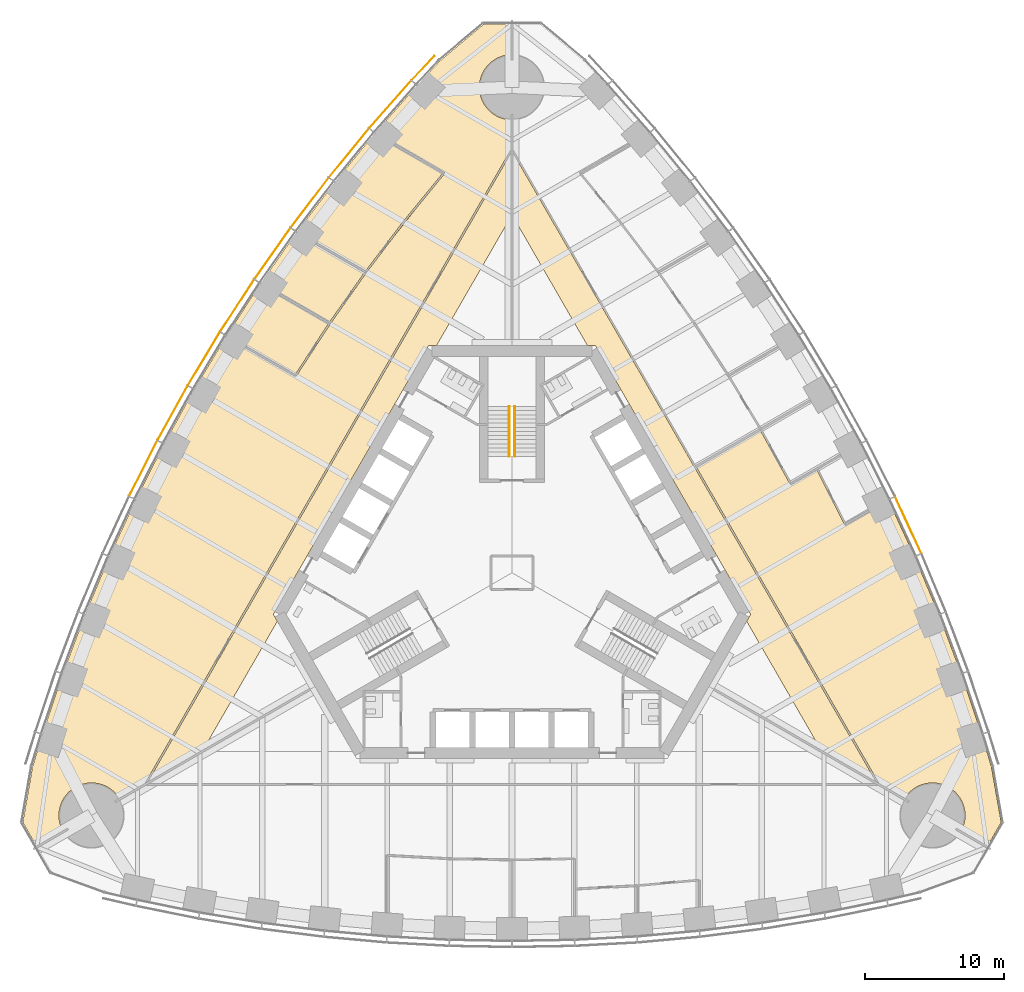
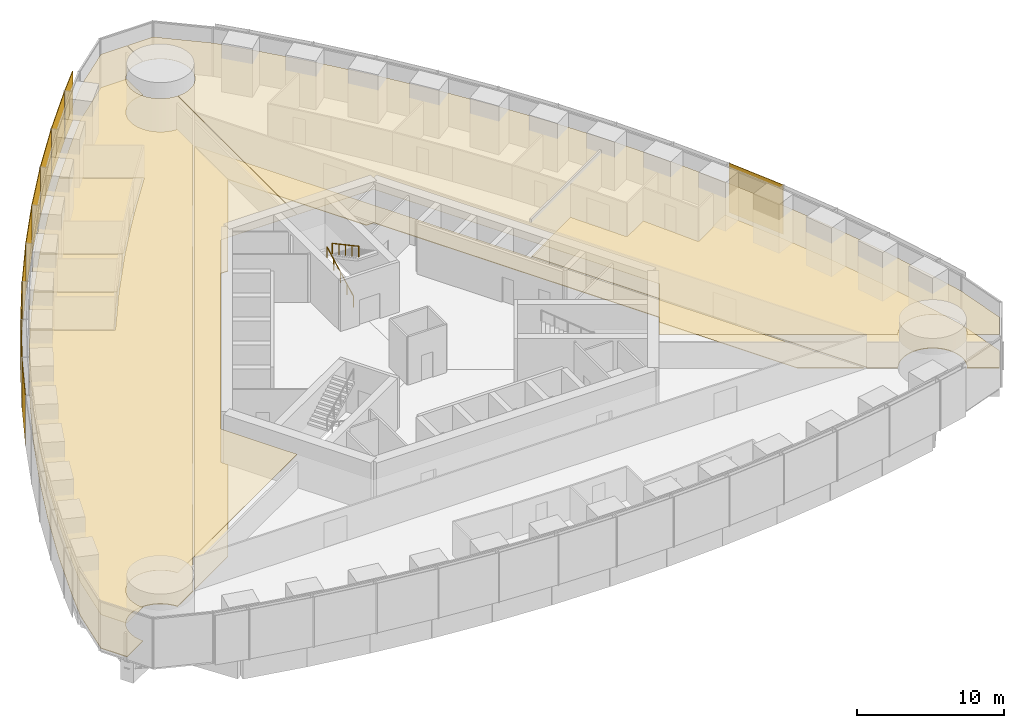
# One storey, part 15 of 18: 10 shading devices, 9 coverings, 2 railings.
"""IFC4 building model written with IfcOpenShell, lengths in metres."""

from ifc_helpers import new_model, si_unit, direction, frame, origin, origin_2d, place, context, subcontext, project, spatial, polyline, rectangle, circle, outline, extrude, material, layer, layer_set, type_object, element, save


model = new_model("IFC4")

# Units and contexts
model_context = context("Model", 3, precision=1e-05, world=origin(), true_north=direction((0.0, 1.0)))
body_context = subcontext(model_context, "Body", "Model", "MODEL_VIEW")
ifc_project = project(units=[si_unit("LENGTHUNIT", "METRE"), si_unit("AREAUNIT", "SQUARE_METRE"), si_unit("VOLUMEUNIT", "CUBIC_METRE"), si_unit("PLANEANGLEUNIT", "RADIAN"), si_unit("MASSUNIT", "GRAM", prefix="KILO")], contexts=[model_context])

# Site, building, storey
site_placement = place(None, origin())
site = spatial("IfcSite", under=ifc_project, at=site_placement, CompositionType="ELEMENT")
building_placement = place(site_placement, origin())
building = spatial("IfcBuilding", under=site, at=building_placement, Name="Trefoil Bronze Tower", CompositionType="ELEMENT")
storey_placement = place(building_placement, frame((0.0, 0.0, 115.699951171875)))
storey = spatial("IfcBuildingStorey", under=building, at=storey_placement, Name="L26", CompositionType="ELEMENT", Elevation=115.699951171875)

# Shading devices
ifc_material_1 = material(Name="Perforated bronze sheet", Category="bronze")
ifc_layer_1 = layer(ifc_material_1, 0.0400390625)
ifc_layer_set_1 = layer_set([ifc_layer_1], Name="Bronze solar screen panel")
shading_device_type = type_object("IfcShadingDeviceType", Name="Bronze solar screen panel", PredefinedType="SHUTTER", material=ifc_layer_set_1)
shading_device_1_placement = place(storey_placement, frame((28.563720703125, 3.444580078125, 0.050048828125), z_axis=(0.0, 0.0, 1.0), x_axis=(-0.419932995871, 0.907555110712, 0.0)))
element("IfcShadingDevice", 1, at=shading_device_1_placement, inside=storey, type_object=shading_device_type, Name="Solar screen CW-A L26 F2 bay 5", PredefinedType="SHUTTER", context=body_context, shape_type="SweptSolid", body=[
    extrude(rectangle(XDim=4.48828125, YDim=0.0400390625, at=origin_2d()), origin(), (0.0, 0.0, 1.0), 4.10009765625),
])
shading_device_2_placement = place(storey_placement, frame((-6.416748046875, 36.383544921875, 0.050048828125), z_axis=(0.0, 0.0, 1.0), x_axis=(-0.682535770759, -0.730852188636, 0.0)))
element("IfcShadingDevice", 2, at=shading_device_2_placement, inside=storey, type_object=shading_device_type, Name="Solar screen CW-A L26 F3 bay 1", PredefinedType="SHUTTER", context=body_context, shape_type="SweptSolid", body=[
    extrude(rectangle(XDim=2.39013671875, YDim=0.0400390625, at=origin_2d()), origin(), (0.0, 0.0, 1.0), 4.10009765625),
])
shading_device_3_placement = place(storey_placement, frame((-8.77197265625, 33.766845703125, 0.050048828125), z_axis=(0.0, 0.0, 1.0), x_axis=(-0.661751405978, -0.749723333428, 0.0)))
element("IfcShadingDevice", 3, at=shading_device_3_placement, inside=storey, type_object=shading_device_type, Name="Solar screen CW-A L26 F3 bay 2", PredefinedType="SHUTTER", context=body_context, shape_type="SweptSolid", body=[
    extrude(rectangle(XDim=4.56103515625, YDim=0.0400390625, at=origin_2d()), origin(), (0.0, 0.0, 1.0), 4.10009765625),
])
shading_device_4_placement = place(storey_placement, frame((-11.7490234375, 30.26708984375, 0.050048828125), z_axis=(0.0, 0.0, 1.0), x_axis=(-0.633839916024, -0.773464259584, 0.0)))
element("IfcShadingDevice", 4, at=shading_device_4_placement, inside=storey, type_object=shading_device_type, Name="Solar screen CW-A L26 F3 bay 3", PredefinedType="SHUTTER", context=body_context, shape_type="SweptSolid", body=[
    extrude(rectangle(XDim=4.5302734375, YDim=0.0400390625, at=origin_2d()), origin(), (0.0, 0.0, 1.0), 4.10009765625),
])
shading_device_5_placement = place(storey_placement, frame((-14.579345703125, 26.6826171875, 0.050048828125), z_axis=(0.0, 0.0, 1.0), x_axis=(-0.605252319983, -0.796033685943, 0.0)))
element("IfcShadingDevice", 5, at=shading_device_5_placement, inside=storey, type_object=shading_device_type, Name="Solar screen CW-A L26 F3 bay 4", PredefinedType="SHUTTER", context=body_context, shape_type="SweptSolid", body=[
    extrude(rectangle(XDim=4.50634765625, YDim=0.0400390625, at=origin_2d()), origin(), (0.0, 0.0, 1.0), 4.10009765625),
])
shading_device_6_placement = place(storey_placement, frame((-17.264892578125, 23.014404296875, 0.050048828125), z_axis=(0.0, 0.0, 1.0), x_axis=(-0.575999283275, -0.817450197667, 0.0)))
element("IfcShadingDevice", 6, at=shading_device_6_placement, inside=storey, type_object=shading_device_type, Name="Solar screen CW-A L26 F3 bay 5", PredefinedType="SHUTTER", context=body_context, shape_type="SweptSolid", body=[
    extrude(rectangle(XDim=4.48828125, YDim=0.0400390625, at=origin_2d()), origin(), (0.0, 0.0, 1.0), 4.10009765625),
])
shading_device_7_placement = place(storey_placement, frame((-19.8076171875, 19.263916015625, 0.050048828125), z_axis=(0.0, 0.0, 1.0), x_axis=(-0.546088612237, -0.837727418427, 0.0)))
element("IfcShadingDevice", 7, at=shading_device_7_placement, inside=storey, type_object=shading_device_type, Name="Solar screen CW-A L26 F3 bay 6", PredefinedType="SHUTTER", context=body_context, shape_type="SweptSolid", body=[
    extrude(rectangle(XDim=4.4765625, YDim=0.0400390625, at=origin_2d()), origin(), (0.0, 0.0, 1.0), 4.10009765625),
])
for number, where, z_axis, x_axis, name in (
    (8, (-22.208740234375, 15.431396484375, 0.050048828125), (0.0, 0.0, 1.0), (-0.515525413486, -0.856874289526, 0.0), "Solar screen CW-A L26 F3 bay 7"),
    (9, (-24.468505859375, 11.517578125, 0.050048828125), (0.0, 0.0, 1.0), (-0.484312195836, -0.874895249138, 0.0), "Solar screen CW-A L26 F3 bay 8"),
):
    element("IfcShadingDevice", number, at=place(storey_placement, frame(where, z_axis=z_axis, x_axis=x_axis)), inside=storey, type_object=shading_device_type, Name=name, PredefinedType="SHUTTER", context=body_context, shape_type="SweptSolid", body=[
        extrude(rectangle(XDim=4.470703125, YDim=0.0400390625, at=origin_2d()), origin(), (0.0, 0.0, 1.0), 4.10009765625),
    ])
shading_device_8_placement = place(storey_placement, frame((-26.5869140625, 7.52197265625, 0.050048828125), z_axis=(0.0, 0.0, 1.0), x_axis=(-0.452448919686, -0.891790320128, 0.0)))
element("IfcShadingDevice", 10, at=shading_device_8_placement, inside=storey, type_object=shading_device_type, Name="Solar screen CW-A L26 F3 bay 9", PredefinedType="SHUTTER", context=body_context, shape_type="SweptSolid", body=[
    extrude(rectangle(XDim=4.4765625, YDim=0.0400390625, at=origin_2d()), origin(), (0.0, 0.0, 1.0), 4.10009765625),
])

# Railings
ifc_material_2 = material(Name="Steel handrail", Category="steel")
railing_type = type_object("IfcRailingType", Name="Handrail 900", PredefinedType="HANDRAIL", material=ifc_material_2)
railing_1_placement = place(storey_placement, frame((-0.199951171875, 8.389892578125, 0.16162109375)))
element("IfcRailing", 11, at=railing_1_placement, inside=storey, type_object=railing_type, Name="Handrail ST2 flight 1 L26", PredefinedType="HANDRAIL", context=body_context, shape_type="SweptSolid", body=[
    extrude(circle(Radius=0.02392578125, at=origin_2d()), frame((0.0, 0.0, 0.8759765625), z_axis=(0.0, 0.880474934443, 0.474092701714), x_axis=(-1.0, 0.0, 0.0)), (0.0, 0.0, 1.0), 4.0888671875),
    extrude(circle(Radius=0.02099609375, at=origin_2d()), origin(), (0.0, 0.0, 1.0), 0.851806640625),
    extrude(circle(Radius=0.02099609375, at=origin_2d()), frame((0.0, 0.89990234375, 0.484619140625)), (0.0, 0.0, 1.0), 0.851806640625),
    extrude(circle(Radius=0.02099609375, at=origin_2d()), frame((0.0, 1.800048828125, 0.96923828125)), (0.0, 0.0, 1.0), 0.851806640625),
    extrude(circle(Radius=0.02099609375, at=origin_2d()), frame((0.0, 2.7001953125, 1.453857421875)), (0.0, 0.0, 1.0), 0.851806640625),
    extrude(circle(Radius=0.02099609375, at=origin_2d()), frame((0.0, 3.60009765625, 1.9384765625)), (0.0, 0.0, 1.0), 0.851806640625),
])
railing_2_placement = place(storey_placement, frame((0.199951171875, 11.989990234375, 2.261474609375)))
element("IfcRailing", 12, at=railing_2_placement, inside=storey, type_object=railing_type, Name="Handrail ST2 flight 2 L26", PredefinedType="HANDRAIL", context=body_context, shape_type="SweptSolid", body=[
    extrude(circle(Radius=0.02392578125, at=origin_2d()), frame((0.0, 0.0, 0.8759765625), z_axis=(0.0, -0.880474934443, 0.474092701714), x_axis=(1.0, 0.0, 0.0)), (0.0, 0.0, 1.0), 4.0888671875),
    extrude(circle(Radius=0.02099609375, at=origin_2d()), origin(), (0.0, 0.0, 1.0), 0.851806640625),
    extrude(circle(Radius=0.02099609375, at=origin_2d()), frame((0.0, -0.89990234375, 0.484619140625)), (0.0, 0.0, 1.0), 0.851806640625),
    extrude(circle(Radius=0.02099609375, at=origin_2d()), frame((0.0, -1.800048828125, 0.96923828125)), (0.0, 0.0, 1.0), 0.851806640625),
    extrude(circle(Radius=0.02099609375, at=origin_2d()), frame((0.0, -2.7001953125, 1.453857421875)), (0.0, 0.0, 1.0), 0.851806640625),
    extrude(circle(Radius=0.02099609375, at=origin_2d()), frame((0.0, -3.60009765625, 1.9384765625)), (0.0, 0.0, 1.0), 0.851806640625),
])

# Coverings
ifc_material_3 = material(Name="Acoustic ceiling panels", Category="mineral fibre")
ifc_layer_2 = layer(ifc_material_3, 0.02001953125)
ifc_layer_set_2 = layer_set([ifc_layer_2], Name="Office ceiling 20")
covering_type_1 = type_object("IfcCoveringType", Name="Office ceiling 20", PredefinedType="CEILING", material=ifc_layer_set_2)
covering_1_placement = place(storey_placement, frame((0.0, 0.0, 2.900146484375)))
element("IfcCovering", 13, at=covering_1_placement, inside=storey, type_object=covering_type_1, Name="Ceiling L26 Trading floor F2", PredefinedType="CEILING", context=body_context, shape_type="SweptSolid", body=[
    extrude(outline(polyline([(6.847900390625, 35.130615234375), (9.885986328125, 31.6884765625), (12.776611328125, 28.1611328125), (15.522216796875, 24.55029296875), (18.124755859375, 20.856689453125), (20.585693359375, 17.081298828125), (22.906005859375, 13.224853515625), (25.085693359375, 9.287109375), (27.124755859375, 5.268310546875), (29.022216796875, 1.16748046875), (30.776611328125, -3.015625), (32.385986328125, -7.28271484375), (33.847900390625, -11.634765625), (34.5537109375, -13.94970703125), (35.2666015625, -17.99169921875), (34.247802734375, -19.755859375), (32.352294921875, -18.66259765625), (32.38330078125, -18.60791015625), (32.435302734375, -18.5048828125), (32.48193359375, -18.3994140625), (32.5234375, -18.291748046875), (32.559814453125, -18.18212890625), (32.590576171875, -18.071044921875), (32.61572265625, -17.95849609375), (32.635498046875, -17.8447265625), (32.649658203125, -17.730224609375), (32.658203125, -17.615234375), (32.660888671875, -17.5), (32.658203125, -17.384765625), (32.649658203125, -17.269775390625), (32.635498046875, -17.1552734375), (32.61572265625, -17.04150390625), (32.590576171875, -16.928955078125), (32.559814453125, -16.81787109375), (32.5234375, -16.708251953125), (32.48193359375, -16.6005859375), (32.435302734375, -16.4951171875), (32.38330078125, -16.39208984375), (32.32666015625, -16.2919921875), (32.264892578125, -16.1943359375), (32.198486328125, -16.10009765625), (32.12744140625, -16.00927734375), (32.052001953125, -15.921875), (31.97265625, -15.83837890625), (31.88916015625, -15.7587890625), (31.8017578125, -15.683349609375), (31.710693359375, -15.612548828125), (31.616455078125, -15.5458984375), (31.51904296875, -15.484375), (31.418701171875, -15.427490234375), (31.315673828125, -15.37548828125), (31.210205078125, -15.328857421875), (31.1025390625, -15.287353515625), (30.9931640625, -15.251220703125), (30.8818359375, -15.220458984375), (30.769287109375, -15.1953125), (30.65576171875, -15.17529296875), (30.541259765625, -15.161376953125), (30.42626953125, -15.15283203125), (30.310791015625, -15.14990234375), (30.195556640625, -15.15283203125), (30.08056640625, -15.161376953125), (29.966064453125, -15.17529296875), (29.852294921875, -15.1953125), (29.739990234375, -15.220458984375), (29.628662109375, -15.251220703125), (29.519287109375, -15.287353515625), (29.41162109375, -15.328857421875), (29.30615234375, -15.37548828125), (29.203125, -15.427490234375), (29.102783203125, -15.484375), (29.00537109375, -15.5458984375), (28.910888671875, -15.612548828125), (28.820068359375, -15.683349609375), (28.732666015625, -15.7587890625), (28.649169921875, -15.83837890625), (28.569580078125, -15.921875), (28.494384765625, -16.00927734375), (28.42333984375, -16.10009765625), (28.35693359375, -16.1943359375), (28.295166015625, -16.2919921875), (28.2822265625, -16.314697265625), (14.205810546875, -8.194580078125), (17.205078125, -3.0), (6.00439453125, 16.39990234375), (0.006103515625, 16.39990234375), (0.01220703125, 32.650390625), (0.115234375, 32.65283203125), (0.230224609375, 32.661376953125), (0.3447265625, 32.67529296875), (0.45849609375, 32.6953125), (0.571044921875, 32.720458984375), (0.68212890625, 32.751220703125), (0.791748046875, 32.787353515625), (0.8994140625, 32.828857421875), (1.0048828125, 32.87548828125), (1.10791015625, 32.927490234375), (1.2080078125, 32.984375), (1.3056640625, 33.0458984375), (1.39990234375, 33.112548828125), (1.49072265625, 33.183349609375), (1.578125, 33.2587890625), (1.66162109375, 33.33837890625), (1.7412109375, 33.421875), (1.816650390625, 33.50927734375), (1.887451171875, 33.60009765625), (1.9541015625, 33.6943359375), (2.015625, 33.7919921875), (2.072509765625, 33.89208984375), (2.12451171875, 33.9951171875), (2.171142578125, 34.1005859375), (2.212646484375, 34.208251953125), (2.248779296875, 34.31787109375), (2.279541015625, 34.428955078125), (2.3046875, 34.54150390625), (2.32470703125, 34.6552734375), (2.338623046875, 34.769775390625), (2.34716796875, 34.884765625), (2.35009765625, 35.0), (2.34716796875, 35.115234375), (2.338623046875, 35.230224609375), (2.32470703125, 35.3447265625), (2.3046875, 35.45849609375), (2.279541015625, 35.571044921875), (2.248779296875, 35.68212890625), (2.212646484375, 35.791748046875), (2.171142578125, 35.8994140625), (2.12451171875, 36.0048828125), (2.072509765625, 36.10791015625), (2.015625, 36.2080078125), (1.9541015625, 36.3056640625), (1.887451171875, 36.39990234375), (1.816650390625, 36.49072265625), (1.7412109375, 36.578125), (1.66162109375, 36.66162109375), (1.578125, 36.7412109375), (1.49072265625, 36.816650390625), (1.39990234375, 36.887451171875), (1.3056640625, 36.9541015625), (1.2080078125, 37.015625), (1.10791015625, 37.072509765625), (1.0048828125, 37.12451171875), (0.8994140625, 37.171142578125), (0.791748046875, 37.212646484375), (0.68212890625, 37.248779296875), (0.571044921875, 37.279541015625), (0.45849609375, 37.3046875), (0.3447265625, 37.32470703125), (0.230224609375, 37.338623046875), (0.115234375, 37.34716796875), (0.013916015625, 37.349609375), (0.014892578125, 39.53759765625), (2.052001953125, 39.53759765625), (5.1962890625, 36.8994140625), (6.847900390625, 35.130615234375)])), origin(), (0.0, 0.0, 1.0), 0.02001953125),
])
covering_2_placement = place(storey_placement, frame((0.0, 0.0, 2.900146484375)))
element("IfcCovering", 14, at=covering_2_placement, inside=storey, type_object=covering_type_1, Name="Ceiling L26 Operations floor F3", PredefinedType="CEILING", context=body_context, shape_type="SweptSolid", body=[
    extrude(outline(polyline([(-33.847900390625, -11.634765625), (-32.385986328125, -7.28271484375), (-30.776611328125, -3.015625), (-29.022216796875, 1.16748046875), (-27.124755859375, 5.268310546875), (-25.085693359375, 9.287109375), (-22.906005859375, 13.224853515625), (-20.585693359375, 17.081298828125), (-18.124755859375, 20.856689453125), (-15.522216796875, 24.55029296875), (-12.776611328125, 28.1611328125), (-9.885986328125, 31.6884765625), (-6.847900390625, 35.130615234375), (-5.1962890625, 36.8994140625), (-2.052001953125, 39.53759765625), (-0.014892578125, 39.53759765625), (-0.013916015625, 37.349609375), (-0.115234375, 37.34716796875), (-0.230224609375, 37.338623046875), (-0.3447265625, 37.32470703125), (-0.45849609375, 37.3046875), (-0.571044921875, 37.279541015625), (-0.68212890625, 37.248779296875), (-0.791748046875, 37.212646484375), (-0.8994140625, 37.171142578125), (-1.0048828125, 37.12451171875), (-1.10791015625, 37.072509765625), (-1.2080078125, 37.015625), (-1.3056640625, 36.9541015625), (-1.39990234375, 36.887451171875), (-1.49072265625, 36.816650390625), (-1.578125, 36.7412109375), (-1.66162109375, 36.66162109375), (-1.7412109375, 36.578125), (-1.816650390625, 36.49072265625), (-1.887451171875, 36.39990234375), (-1.9541015625, 36.3056640625), (-2.015625, 36.2080078125), (-2.072509765625, 36.10791015625), (-2.12451171875, 36.0048828125), (-2.171142578125, 35.8994140625), (-2.212646484375, 35.791748046875), (-2.248779296875, 35.68212890625), (-2.279541015625, 35.571044921875), (-2.3046875, 35.45849609375), (-2.32470703125, 35.3447265625), (-2.338623046875, 35.230224609375), (-2.34716796875, 35.115234375), (-2.35009765625, 35.0), (-2.34716796875, 34.884765625), (-2.338623046875, 34.769775390625), (-2.32470703125, 34.6552734375), (-2.3046875, 34.54150390625), (-2.279541015625, 34.428955078125), (-2.248779296875, 34.31787109375), (-2.212646484375, 34.208251953125), (-2.171142578125, 34.1005859375), (-2.12451171875, 33.9951171875), (-2.072509765625, 33.89208984375), (-2.015625, 33.7919921875), (-1.9541015625, 33.6943359375), (-1.887451171875, 33.60009765625), (-1.816650390625, 33.50927734375), (-1.7412109375, 33.421875), (-1.66162109375, 33.33837890625), (-1.578125, 33.2587890625), (-1.49072265625, 33.183349609375), (-1.39990234375, 33.112548828125), (-1.3056640625, 33.0458984375), (-1.2080078125, 32.984375), (-1.10791015625, 32.927490234375), (-1.0048828125, 32.87548828125), (-0.8994140625, 32.828857421875), (-0.791748046875, 32.787353515625), (-0.68212890625, 32.751220703125), (-0.571044921875, 32.720458984375), (-0.45849609375, 32.6953125), (-0.3447265625, 32.67529296875), (-0.230224609375, 32.661376953125), (-0.115234375, 32.65283203125), (-0.01220703125, 32.650390625), (-0.006103515625, 16.39990234375), (-6.00439453125, 16.39990234375), (-17.205078125, -3.0), (-14.205810546875, -8.194580078125), (-28.2822265625, -16.314697265625), (-28.295166015625, -16.2919921875), (-28.35693359375, -16.1943359375), (-28.42333984375, -16.10009765625), (-28.494384765625, -16.00927734375), (-28.569580078125, -15.921875), (-28.649169921875, -15.83837890625), (-28.732666015625, -15.7587890625), (-28.820068359375, -15.683349609375), (-28.910888671875, -15.612548828125), (-29.00537109375, -15.5458984375), (-29.102783203125, -15.484375), (-29.203125, -15.427490234375), (-29.30615234375, -15.37548828125), (-29.41162109375, -15.328857421875), (-29.519287109375, -15.287353515625), (-29.628662109375, -15.251220703125), (-29.739990234375, -15.220458984375), (-29.852294921875, -15.1953125), (-29.966064453125, -15.17529296875), (-30.08056640625, -15.161376953125), (-30.195556640625, -15.15283203125), (-30.310791015625, -15.14990234375), (-30.42626953125, -15.15283203125), (-30.541259765625, -15.161376953125), (-30.65576171875, -15.17529296875), (-30.769287109375, -15.1953125), (-30.8818359375, -15.220458984375), (-30.9931640625, -15.251220703125), (-31.1025390625, -15.287353515625), (-31.210205078125, -15.328857421875), (-31.315673828125, -15.37548828125), (-31.418701171875, -15.427490234375), (-31.51904296875, -15.484375), (-31.616455078125, -15.5458984375), (-31.710693359375, -15.612548828125), (-31.8017578125, -15.683349609375), (-31.88916015625, -15.7587890625), (-31.97265625, -15.83837890625), (-32.052001953125, -15.921875), (-32.12744140625, -16.00927734375), (-32.198486328125, -16.10009765625), (-32.264892578125, -16.1943359375), (-32.32666015625, -16.2919921875), (-32.38330078125, -16.39208984375), (-32.435302734375, -16.4951171875), (-32.48193359375, -16.6005859375), (-32.5234375, -16.708251953125), (-32.559814453125, -16.81787109375), (-32.590576171875, -16.928955078125), (-32.61572265625, -17.04150390625), (-32.635498046875, -17.1552734375), (-32.649658203125, -17.269775390625), (-32.658203125, -17.384765625), (-32.660888671875, -17.5), (-32.658203125, -17.615234375), (-32.649658203125, -17.730224609375), (-32.635498046875, -17.8447265625), (-32.61572265625, -17.95849609375), (-32.590576171875, -18.071044921875), (-32.559814453125, -18.18212890625), (-32.5234375, -18.291748046875), (-32.48193359375, -18.3994140625), (-32.435302734375, -18.5048828125), (-32.38330078125, -18.60791015625), (-32.352294921875, -18.66259765625), (-34.247802734375, -19.755859375), (-35.2666015625, -17.99169921875), (-34.5537109375, -13.94970703125), (-33.847900390625, -11.634765625)])), origin(), (0.0, 0.0, 1.0), 0.02001953125),
])
ifc_material_4 = material(Name="Raised access floor panels", Category="steel")
ifc_layer_3 = layer(ifc_material_4, 0.050048828125)
ifc_layer_set_3 = layer_set([ifc_layer_3], Name="Raised access floor 150")
covering_type_2 = type_object("IfcCoveringType", Name="Raised access floor 150", PredefinedType="FLOORING", material=ifc_layer_set_3)
covering_3_placement = place(storey_placement, frame((0.0, 0.0, 0.10009765625)))
element("IfcCovering", 15, at=covering_3_placement, inside=storey, type_object=covering_type_2, Name="Raised floor L26 Corridor F2", PredefinedType="FLOORING", context=body_context, shape_type="SweptSolid", body=[
    extrude(outline(polyline([(26.31591796875, -15.180419921875), (22.333740234375, -12.88330078125), (16.91650390625, -3.5), (17.205078125, -3.0), (6.00439453125, 16.39990234375), (5.427001953125, 16.39990234375), (0.009765625, 25.783203125), (0.011474609375, 30.38037109375), (26.31591796875, -15.180419921875)])), origin(), (0.0, 0.0, 1.0), 0.050048828125),
])
covering_4_placement = place(storey_placement, frame((0.0, 0.0, 0.10009765625)))
element("IfcCovering", 16, at=covering_4_placement, inside=storey, type_object=covering_type_2, Name="Raised floor L26 Trading floor F2", PredefinedType="FLOORING", context=body_context, shape_type="SweptSolid", body=[
    extrude(outline(polyline([(28.295166015625, -16.2919921875), (28.2822265625, -16.314697265625), (26.40966796875, -15.234375), (26.466552734375, -15.201416015625), (13.304931640625, 7.594970703125), (17.910888671875, 10.254150390625), (20.0537109375, 6.383056640625), (20.106201171875, 6.412109375), (20.13623046875, 6.360107421875), (21.9736328125, 7.4208984375), (23.98388671875, 3.45849609375), (24.03759765625, 3.485595703125), (24.0673828125, 3.433837890625), (25.739501953125, 4.399169921875), (25.709716796875, 4.451171875), (27.124755859375, 5.268310546875), (29.022216796875, 1.16748046875), (30.776611328125, -3.015625), (32.385986328125, -7.28271484375), (33.847900390625, -11.634765625), (34.5537109375, -13.94970703125), (35.2666015625, -17.99169921875), (34.247802734375, -19.755859375), (32.352294921875, -18.66259765625), (32.38330078125, -18.60791015625), (32.435302734375, -18.5048828125), (32.48193359375, -18.3994140625), (32.5234375, -18.291748046875), (32.559814453125, -18.18212890625), (32.590576171875, -18.071044921875), (32.61572265625, -17.95849609375), (32.635498046875, -17.8447265625), (32.649658203125, -17.730224609375), (32.658203125, -17.615234375), (32.660888671875, -17.5), (32.658203125, -17.384765625), (32.649658203125, -17.269775390625), (32.635498046875, -17.1552734375), (32.61572265625, -17.04150390625), (32.590576171875, -16.928955078125), (32.559814453125, -16.81787109375), (32.5234375, -16.708251953125), (32.48193359375, -16.6005859375), (32.435302734375, -16.4951171875), (32.38330078125, -16.39208984375), (32.32666015625, -16.2919921875), (32.264892578125, -16.1943359375), (32.198486328125, -16.10009765625), (32.12744140625, -16.00927734375), (32.052001953125, -15.921875), (31.97265625, -15.83837890625), (31.88916015625, -15.7587890625), (31.8017578125, -15.683349609375), (31.710693359375, -15.612548828125), (31.616455078125, -15.5458984375), (31.51904296875, -15.484375), (31.418701171875, -15.427490234375), (31.315673828125, -15.37548828125), (31.210205078125, -15.328857421875), (31.1025390625, -15.287353515625), (30.9931640625, -15.251220703125), (30.8818359375, -15.220458984375), (30.769287109375, -15.1953125), (30.65576171875, -15.17529296875), (30.541259765625, -15.161376953125), (30.42626953125, -15.15283203125), (30.310791015625, -15.14990234375), (30.195556640625, -15.15283203125), (30.08056640625, -15.161376953125), (29.966064453125, -15.17529296875), (29.852294921875, -15.1953125), (29.739990234375, -15.220458984375), (29.628662109375, -15.251220703125), (29.519287109375, -15.287353515625), (29.41162109375, -15.328857421875), (29.30615234375, -15.37548828125), (29.203125, -15.427490234375), (29.102783203125, -15.484375), (29.00537109375, -15.5458984375), (28.910888671875, -15.612548828125), (28.820068359375, -15.683349609375), (28.732666015625, -15.7587890625), (28.649169921875, -15.83837890625), (28.569580078125, -15.921875), (28.494384765625, -16.00927734375), (28.42333984375, -16.10009765625), (28.35693359375, -16.1943359375), (28.295166015625, -16.2919921875)])), origin(), (0.0, 0.0, 1.0), 0.050048828125),
])
covering_5_placement = place(storey_placement, frame((0.0, 0.0, 0.10009765625)))
element("IfcCovering", 17, at=covering_5_placement, inside=storey, type_object=covering_type_2, Name="Raised floor L26 Office F3", PredefinedType="FLOORING", context=body_context, shape_type="SweptSolid", body=[
    extrude(outline(polyline([(-12.776611328125, 28.1611328125), (-9.885986328125, 31.6884765625), (-8.451171875, 30.860107421875), (-8.481201171875, 30.80810546875), (-4.997802734375, 28.796875), (-7.843505859375, 25.32421875), (-7.797119140625, 25.2861328125), (-7.8447265625, 25.322509765625), (-10.558349609375, 21.753662109375), (-14.072509765625, 23.782470703125), (-14.102294921875, 23.73046875), (-15.522216796875, 24.55029296875), (-12.776611328125, 28.1611328125)])), origin(), (0.0, 0.0, 1.0), 0.050048828125),
])
covering_6_placement = place(storey_placement, frame((0.0, 0.0, 0.10009765625)))
element("IfcCovering", 18, at=covering_6_placement, inside=storey, type_object=covering_type_2, Name="Raised floor L26 Meeting room F3", PredefinedType="FLOORING", context=body_context, shape_type="SweptSolid", body=[
    extrude(outline(polyline([(-15.522216796875, 24.55029296875), (-14.102294921875, 23.73046875), (-14.13232421875, 23.678466796875), (-10.62939453125, 21.656005859375), (-13.16259765625, 18.06103515625), (-16.6796875, 20.091552734375), (-16.709716796875, 20.03955078125), (-18.124755859375, 20.856689453125), (-15.522216796875, 24.55029296875)])), origin(), (0.0, 0.0, 1.0), 0.050048828125),
])
covering_7_placement = place(storey_placement, frame((0.0, 0.0, 0.10009765625)))
element("IfcCovering", 19, at=covering_7_placement, inside=storey, type_object=covering_type_2, Name="Raised floor L26 Meeting room F3", PredefinedType="FLOORING", context=body_context, shape_type="SweptSolid", body=[
    extrude(outline(polyline([(-18.124755859375, 20.856689453125), (-16.709716796875, 20.03955078125), (-16.739501953125, 19.987548828125), (-13.22998046875, 17.96142578125), (-15.62548828125, 14.286865234375), (-19.143310546875, 16.31787109375), (-19.17333984375, 16.265869140625), (-20.585693359375, 17.081298828125), (-18.124755859375, 20.856689453125)])), origin(), (0.0, 0.0, 1.0), 0.050048828125),
])
covering_8_placement = place(storey_placement, frame((0.0, 0.0, 0.10009765625)))
element("IfcCovering", 20, at=covering_8_placement, inside=storey, type_object=covering_type_2, Name="Raised floor L26 Corridor F3", PredefinedType="FLOORING", context=body_context, shape_type="SweptSolid", body=[
    extrude(outline(polyline([(-0.011474609375, 30.38037109375), (-0.009765625, 25.783203125), (-5.427001953125, 16.39990234375), (-6.00439453125, 16.39990234375), (-17.205078125, -3.0), (-16.91650390625, -3.5), (-22.333740234375, -12.88330078125), (-26.31591796875, -15.180419921875), (-0.011474609375, 30.38037109375)])), origin(), (0.0, 0.0, 1.0), 0.050048828125),
])
covering_9_placement = place(storey_placement, frame((0.0, 0.0, 0.10009765625)))
element("IfcCovering", 21, at=covering_9_placement, inside=storey, type_object=covering_type_2, Name="Raised floor L26 Operations floor F3", PredefinedType="FLOORING", context=body_context, shape_type="SweptSolid", body=[
    extrude(outline(polyline([(-22.906005859375, 13.224853515625), (-20.585693359375, 17.081298828125), (-19.17333984375, 16.265869140625), (-19.203369140625, 16.2138671875), (-15.63623046875, 14.154296875), (-15.606201171875, 14.206298828125), (-15.555908203125, 14.173583984375), (-13.095458984375, 17.947998046875), (-10.494140625, 21.639892578125), (-8.50634765625, 24.254150390625), (-6.95361328125, 26.220947265625), (-4.860107421875, 28.775390625), (-4.906494140625, 28.8134765625), (-4.87646484375, 28.865478515625), (-8.421142578125, 30.912109375), (-8.451171875, 30.860107421875), (-9.885986328125, 31.6884765625), (-6.847900390625, 35.130615234375), (-5.1962890625, 36.8994140625), (-2.052001953125, 39.53759765625), (-0.014892578125, 39.53759765625), (-0.013916015625, 37.349609375), (-0.115234375, 37.34716796875), (-0.230224609375, 37.338623046875), (-0.3447265625, 37.32470703125), (-0.45849609375, 37.3046875), (-0.571044921875, 37.279541015625), (-0.68212890625, 37.248779296875), (-0.791748046875, 37.212646484375), (-0.8994140625, 37.171142578125), (-1.0048828125, 37.12451171875), (-1.10791015625, 37.072509765625), (-1.2080078125, 37.015625), (-1.3056640625, 36.9541015625), (-1.39990234375, 36.887451171875), (-1.49072265625, 36.816650390625), (-1.578125, 36.7412109375), (-1.66162109375, 36.66162109375), (-1.7412109375, 36.578125), (-1.816650390625, 36.49072265625), (-1.887451171875, 36.39990234375), (-1.9541015625, 36.3056640625), (-2.015625, 36.2080078125), (-2.072509765625, 36.10791015625), (-2.12451171875, 36.0048828125), (-2.171142578125, 35.8994140625), (-2.212646484375, 35.791748046875), (-2.248779296875, 35.68212890625), (-2.279541015625, 35.571044921875), (-2.3046875, 35.45849609375), (-2.32470703125, 35.3447265625), (-2.338623046875, 35.230224609375), (-2.34716796875, 35.115234375), (-2.35009765625, 35.0), (-2.34716796875, 34.884765625), (-2.338623046875, 34.769775390625), (-2.32470703125, 34.6552734375), (-2.3046875, 34.54150390625), (-2.279541015625, 34.428955078125), (-2.248779296875, 34.31787109375), (-2.212646484375, 34.208251953125), (-2.171142578125, 34.1005859375), (-2.12451171875, 33.9951171875), (-2.072509765625, 33.89208984375), (-2.015625, 33.7919921875), (-1.9541015625, 33.6943359375), (-1.887451171875, 33.60009765625), (-1.816650390625, 33.50927734375), (-1.7412109375, 33.421875), (-1.66162109375, 33.33837890625), (-1.578125, 33.2587890625), (-1.49072265625, 33.183349609375), (-1.39990234375, 33.112548828125), (-1.3056640625, 33.0458984375), (-1.2080078125, 32.984375), (-1.10791015625, 32.927490234375), (-1.0048828125, 32.87548828125), (-0.8994140625, 32.828857421875), (-0.791748046875, 32.787353515625), (-0.68212890625, 32.751220703125), (-0.571044921875, 32.720458984375), (-0.45849609375, 32.6953125), (-0.3447265625, 32.67529296875), (-0.230224609375, 32.661376953125), (-0.115234375, 32.65283203125), (-0.01220703125, 32.650390625), (-0.011474609375, 30.488525390625), (-0.068359375, 30.521484375), (-26.466552734375, -15.201416015625), (-26.40966796875, -15.234375), (-28.2822265625, -16.314697265625), (-28.295166015625, -16.2919921875), (-28.35693359375, -16.1943359375), (-28.42333984375, -16.10009765625), (-28.494384765625, -16.00927734375), (-28.569580078125, -15.921875), (-28.649169921875, -15.83837890625), (-28.732666015625, -15.7587890625), (-28.820068359375, -15.683349609375), (-28.910888671875, -15.612548828125), (-29.00537109375, -15.5458984375), (-29.102783203125, -15.484375), (-29.203125, -15.427490234375), (-29.30615234375, -15.37548828125), (-29.41162109375, -15.328857421875), (-29.519287109375, -15.287353515625), (-29.628662109375, -15.251220703125), (-29.739990234375, -15.220458984375), (-29.852294921875, -15.1953125), (-29.966064453125, -15.17529296875), (-30.08056640625, -15.161376953125), (-30.195556640625, -15.15283203125), (-30.310791015625, -15.14990234375), (-30.42626953125, -15.15283203125), (-30.541259765625, -15.161376953125), (-30.65576171875, -15.17529296875), (-30.769287109375, -15.1953125), (-30.8818359375, -15.220458984375), (-30.9931640625, -15.251220703125), (-31.1025390625, -15.287353515625), (-31.210205078125, -15.328857421875), (-31.315673828125, -15.37548828125), (-31.418701171875, -15.427490234375), (-31.51904296875, -15.484375), (-31.616455078125, -15.5458984375), (-31.710693359375, -15.612548828125), (-31.8017578125, -15.683349609375), (-31.88916015625, -15.7587890625), (-31.97265625, -15.83837890625), (-32.052001953125, -15.921875), (-32.12744140625, -16.00927734375), (-32.198486328125, -16.10009765625), (-32.264892578125, -16.1943359375), (-32.32666015625, -16.2919921875), (-32.38330078125, -16.39208984375), (-32.435302734375, -16.4951171875), (-32.48193359375, -16.6005859375), (-32.5234375, -16.708251953125), (-32.559814453125, -16.81787109375), (-32.590576171875, -16.928955078125), (-32.61572265625, -17.04150390625), (-32.635498046875, -17.1552734375), (-32.649658203125, -17.269775390625), (-32.658203125, -17.384765625), (-32.660888671875, -17.5), (-32.658203125, -17.615234375), (-32.649658203125, -17.730224609375), (-32.635498046875, -17.8447265625), (-32.61572265625, -17.95849609375), (-32.590576171875, -18.071044921875), (-32.559814453125, -18.18212890625), (-32.5234375, -18.291748046875), (-32.48193359375, -18.3994140625), (-32.435302734375, -18.5048828125), (-32.38330078125, -18.60791015625), (-32.352294921875, -18.66259765625), (-34.247802734375, -19.755859375), (-35.2666015625, -17.99169921875), (-34.5537109375, -13.94970703125), (-33.847900390625, -11.634765625), (-32.385986328125, -7.28271484375), (-30.776611328125, -3.015625), (-29.022216796875, 1.16748046875), (-27.124755859375, 5.268310546875), (-25.085693359375, 9.287109375), (-22.906005859375, 13.224853515625)])), origin(), (0.0, 0.0, 1.0), 0.050048828125),
])

save(model, "model.ifc")
